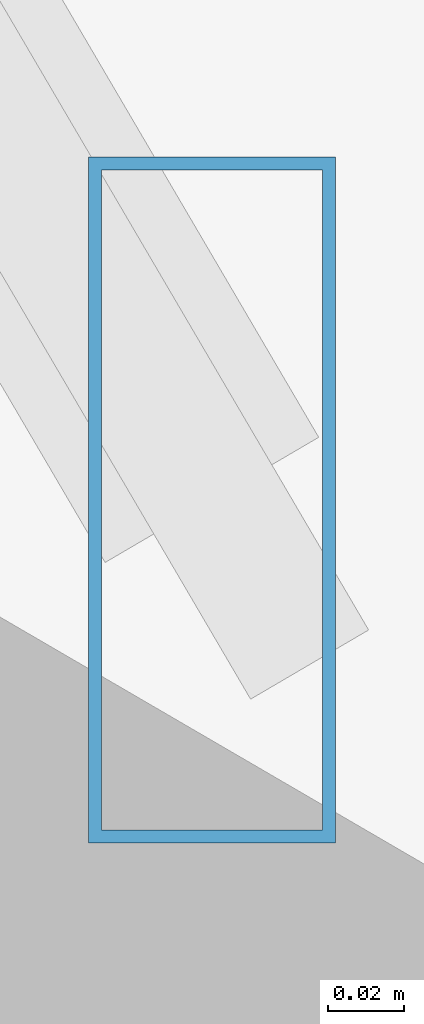
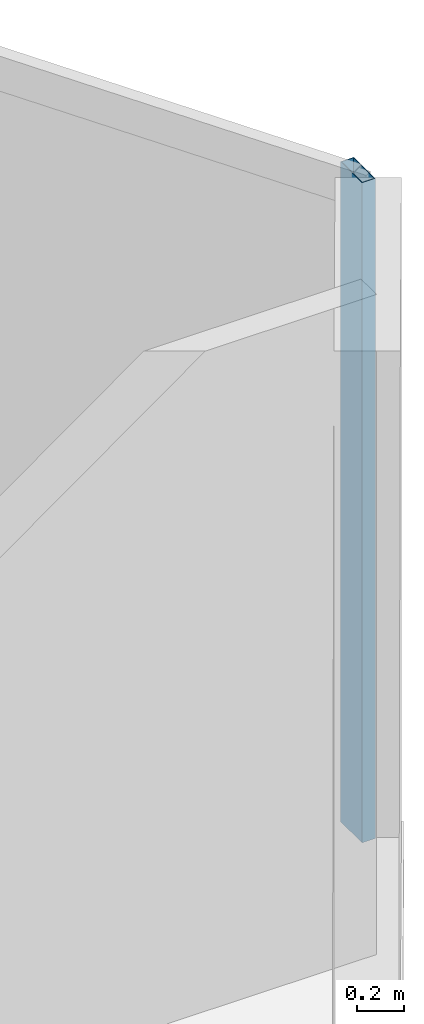
# One storey, part 16 of 33: 1 member, 1 element without a shape of its own.
"""IFC4 building model written with IfcOpenShell, lengths in metres."""

from ifc_helpers import new_model, si_unit, direction, frame, origin, origin_2d, place, context, subcontext, project, spatial, hollow_rectangle, extrude, source, transform, mapped, material, material_profile, profile_set, type_object, type_shapes, element, aggregate, save


model = new_model("IFC4")

# Units and contexts
model_context = context("Model", 3, precision=1e-05, world=origin(), true_north=direction((0.0, 1.0)))
body_context = subcontext(model_context, "Body", "Model", "MODEL_VIEW")
ifc_project = project(units=[si_unit("LENGTHUNIT", "METRE"), si_unit("AREAUNIT", "SQUARE_METRE"), si_unit("VOLUMEUNIT", "CUBIC_METRE"), si_unit("PLANEANGLEUNIT", "RADIAN"), si_unit("MASSUNIT", "GRAM", prefix="KILO")], contexts=[model_context])

# Site, building, storey
site_placement = place(None, origin())
site = spatial("IfcSite", under=ifc_project, at=site_placement, CompositionType="ELEMENT")
building_placement = place(site_placement, origin())
building = spatial("IfcBuilding", under=site, at=building_placement, Name="Caelisora Broadcast Tower", CompositionType="ELEMENT")
storey_placement = place(building_placement, frame((0.0, 0.0, 38.550048828125)))
storey = spatial("IfcBuildingStorey", under=building, at=storey_placement, Name="L09", CompositionType="ELEMENT", Elevation=38.550048828125)

# Curtain wall, member
ifc_material_1 = material(Name="Unitised Aluminium and Low-E Glass Curtain Wall", Category="glass")
curtain_wall_type = type_object("IfcCurtainWallType", Name="CW-Z1", PredefinedType="NOTDEFINED", material=ifc_material_1)
curtain_wall_placement = place(storey_placement, origin())
curtain_wall = element("IfcCurtainWall", 1, at=curtain_wall_placement, inside=storey, type_object=curtain_wall_type, Name="L09 curtain wall CW-Z1", PredefinedType="NOTDEFINED")
ifc_material_2 = material(Name="Aluminium 6063-T6 Anodised Terracotta Bronze", Category="aluminium")
ifc_material_profile = material_profile(ifc_material_2, hollow_rectangle(XDim=0.06494140625, YDim=0.179931640625, WallThickness=0.00341796875, at=origin_2d()), Name="Aluminium 6063-T6 Anodised Terracotta Bronze")
ifc_profile_set = profile_set([ifc_material_profile], Name="Aluminium 6063-T6 Anodised Terracotta Bronze")
member_type = type_object("IfcMemberType", Name="CWM-02", PredefinedType="MULLION", material=ifc_profile_set)
shared_shape = source(origin(), body_context, "Body", "SweptSolid", [
    extrude(hollow_rectangle(XDim=0.06494140625, YDim=0.179931640625, WallThickness=0.00341796875, at=origin_2d()), origin(), (0.0, 0.0, 1.0), 3.39990234375),
])
type_shapes(member_type, [shared_shape])
member_placement = place(storey_placement, frame((64.57861328125, 17.8671875, 0.0), z_axis=(0.0, 0.0, 1.0), x_axis=(1.0, 0.0, 0.0)))
member = element("IfcMember", 2, at=member_placement, type_object=member_type, Name="L09-CW-B03 mullion #3", PredefinedType="MULLION", context=body_context, shape_type="MappedRepresentation", body=[
    mapped(shared_shape, transform((0.0, 0.0, 0.0), scale=1.0)),
])
aggregate(curtain_wall, [member])

save(model, "model.ifc")
